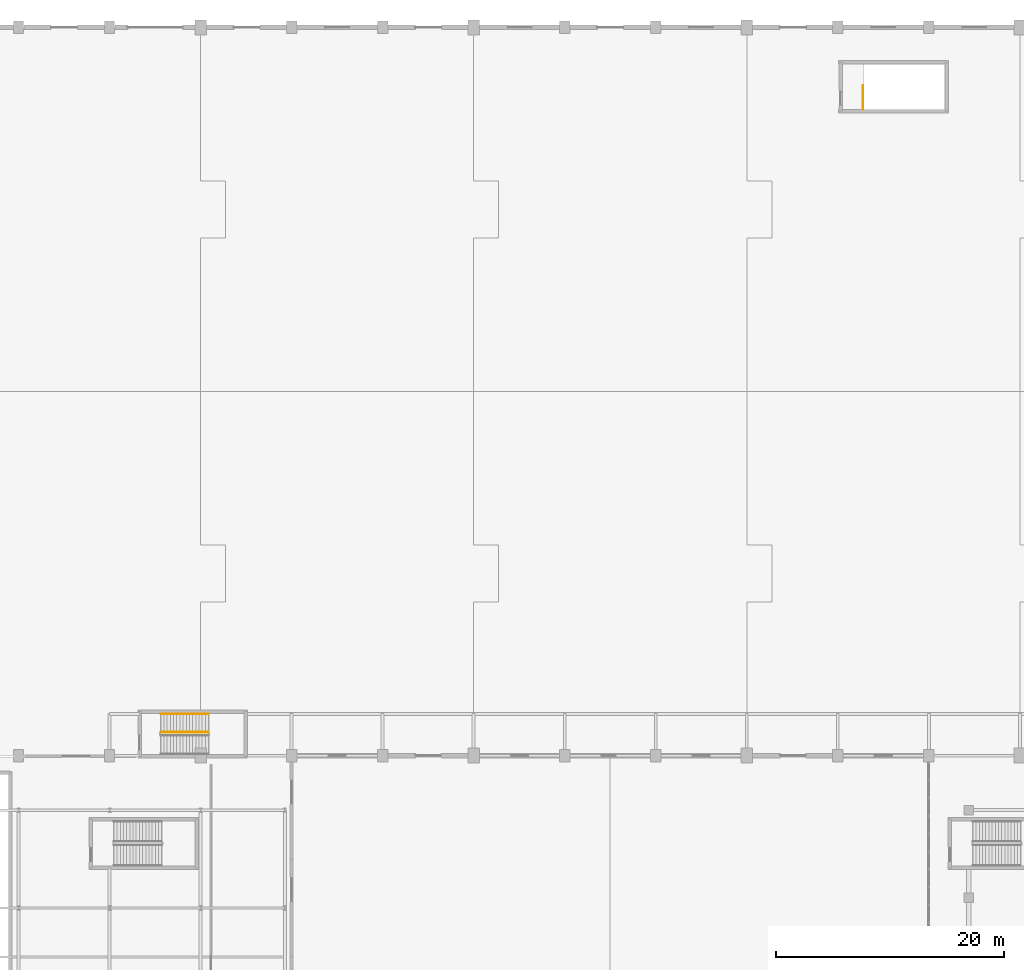
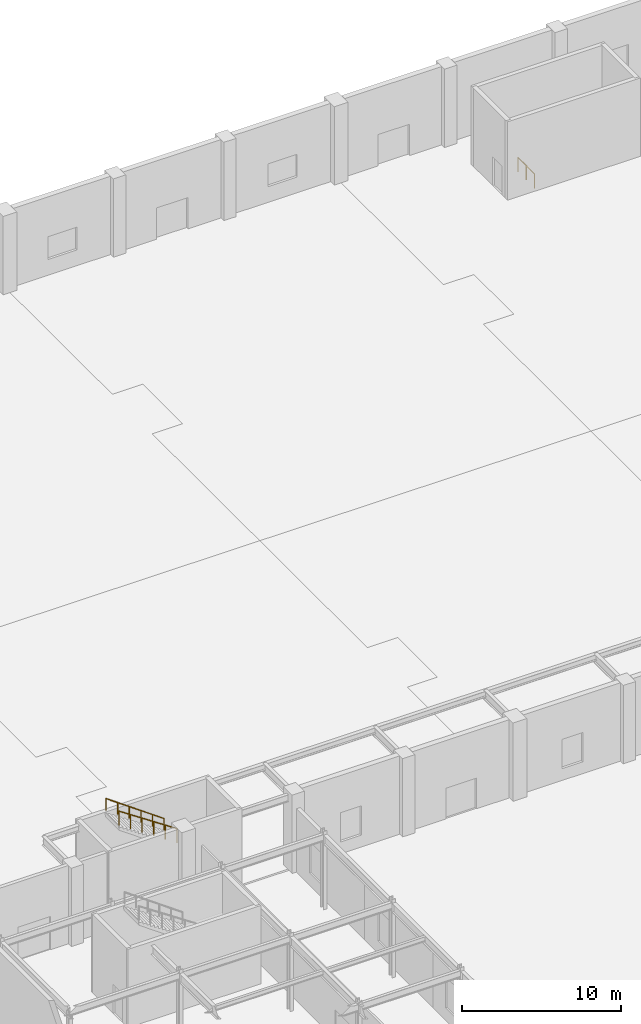
# One storey, part 46 of 49: 3 railings.
"""IFC4 building model written with IfcOpenShell, lengths in metres."""

from ifc_helpers import new_model, si_unit, direction, frame, origin, origin_2d, place, context, subcontext, project, spatial, circle, extrude, material, type_object, element, save


model = new_model("IFC4")

# Units and contexts
model_context = context("Model", 3, precision=1e-05, world=origin(), true_north=direction((0.0, 1.0)))
body_context = subcontext(model_context, "Body", "Model", "MODEL_VIEW")
ifc_project = project(units=[si_unit("LENGTHUNIT", "METRE"), si_unit("AREAUNIT", "SQUARE_METRE"), si_unit("VOLUMEUNIT", "CUBIC_METRE"), si_unit("PLANEANGLEUNIT", "RADIAN"), si_unit("MASSUNIT", "GRAM", prefix="KILO")], contexts=[model_context])

# Site, building, storey
site_placement = place(None, origin())
site = spatial("IfcSite", under=ifc_project, at=site_placement, CompositionType="ELEMENT")
building_placement = place(site_placement, origin())
building = spatial("IfcBuilding", under=site, at=building_placement, Name="Tlacozan Convention Centre", CompositionType="ELEMENT")
storey_placement = place(building_placement, origin())
storey = spatial("IfcBuildingStorey", under=building, at=storey_placement, Name="L00", CompositionType="ELEMENT", Elevation=0.0)

# Railings
ifc_material = material(Name="Architectural Painted Galvanised Steel Railing", Category="steel")
railing_type_1 = type_object("IfcRailingType", Name="Stair Wall Handrail 900", PredefinedType="HANDRAIL", material=ifc_material)
railing_1_placement = place(storey_placement, frame((24.699951171875, 65.64990234375, 3.1875)))
element("IfcRailing", 1, at=railing_1_placement, inside=storey, type_object=railing_type_1, Name="L00 ST-10 stair handrail 2", PredefinedType="HANDRAIL", context=body_context, shape_type="SweptSolid", body=[
    extrude(circle(Radius=0.02392578125, at=origin_2d()), frame((0.0, 0.0, 0.8759765625), z_axis=(-0.813730275137, 0.0, 0.581242668191), x_axis=(0.0, -1.0, 0.0)), (0.0, 0.0, 1.0), 5.161376953125),
    extrude(circle(Radius=0.02099609375, at=origin_2d()), origin(), (0.0, 0.0, 1.0), 0.851806640625),
    extrude(circle(Radius=0.02099609375, at=origin_2d()), frame((-0.840087890625, 0.0, 0.60009765625)), (0.0, 0.0, 1.0), 0.851806640625),
    extrude(circle(Radius=0.02099609375, at=origin_2d()), frame((-1.679931640625, 0.0, 1.199951171875)), (0.0, 0.0, 1.0), 0.851806640625),
    extrude(circle(Radius=0.02099609375, at=origin_2d()), frame((-2.52001953125, 0.0, 1.800048828125)), (0.0, 0.0, 1.0), 0.851806640625),
    extrude(circle(Radius=0.02099609375, at=origin_2d()), frame((-3.35986328125, 0.0, 2.39990234375)), (0.0, 0.0, 1.0), 0.851806640625),
    extrude(circle(Radius=0.02099609375, at=origin_2d()), frame((-4.199951171875, 0.0, 3.0)), (0.0, 0.0, 1.0), 0.851806640625),
])
railing_type_2 = type_object("IfcRailingType", Name="Stair Well Guardrail 1100", PredefinedType="GUARDRAIL", material=ifc_material)
railing_2_placement = place(storey_placement, frame((24.699951171875, 64.050048828125, 3.1875)))
element("IfcRailing", 2, at=railing_2_placement, inside=storey, type_object=railing_type_2, Name="L00 ST-10 stair guard 3", PredefinedType="GUARDRAIL", context=body_context, shape_type="SweptSolid", body=[
    extrude(circle(Radius=0.02392578125, at=origin_2d()), frame((0.0, 0.0, 1.076171875), z_axis=(-0.830904186295, 0.0, 0.556415522067), x_axis=(0.0, -1.0, 0.0)), (0.0, 0.0, 1.0), 5.0546875),
    extrude(circle(Radius=0.02099609375, at=origin_2d()), origin(), (0.0, 0.0, 1.0), 1.052001953125),
    extrude(circle(Radius=0.02099609375, at=origin_2d()), frame((-0.840087890625, 0.0, 0.5625)), (0.0, 0.0, 1.0), 1.052001953125),
    extrude(circle(Radius=0.02099609375, at=origin_2d()), frame((-1.679931640625, 0.0, 1.125)), (0.0, 0.0, 1.0), 1.052001953125),
    extrude(circle(Radius=0.02099609375, at=origin_2d()), frame((-2.52001953125, 0.0, 1.6875)), (0.0, 0.0, 1.0), 1.052001953125),
    extrude(circle(Radius=0.02099609375, at=origin_2d()), frame((-3.35986328125, 0.0, 2.25)), (0.0, 0.0, 1.0), 1.052001953125),
    extrude(circle(Radius=0.02099609375, at=origin_2d()), frame((-4.199951171875, 0.0, 2.8125)), (0.0, 0.0, 1.0), 1.052001953125),
])
railing_3_placement = place(storey_placement, frame((82.22998046875, 118.800048828125, 0.0)))
element("IfcRailing", 3, at=railing_3_placement, inside=storey, type_object=railing_type_2, Name="L00 ST-12 top well guard 1", PredefinedType="GUARDRAIL", context=body_context, shape_type="SweptSolid", body=[
    extrude(circle(Radius=0.02392578125, at=origin_2d()), frame((0.0, 0.0, 1.076171875), z_axis=(0.0, 1.0, 0.0), x_axis=(-1.0, 0.0, 0.0)), (0.0, 0.0, 1.0), 2.079833984375),
    extrude(circle(Radius=0.02099609375, at=origin_2d()), origin(), (0.0, 0.0, 1.0), 1.052001953125),
    extrude(circle(Radius=0.02099609375, at=origin_2d()), frame((0.0, 1.0400390625, 0.0)), (0.0, 0.0, 1.0), 1.052001953125),
    extrude(circle(Radius=0.02099609375, at=origin_2d()), frame((0.0, 2.079833984375, 0.0)), (0.0, 0.0, 1.0), 1.052001953125),
])

save(model, "model.ifc")
